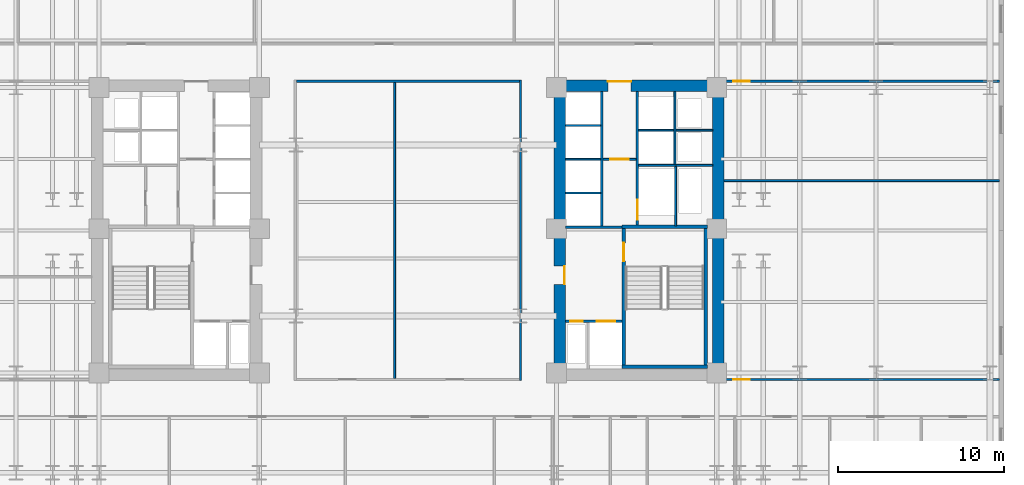
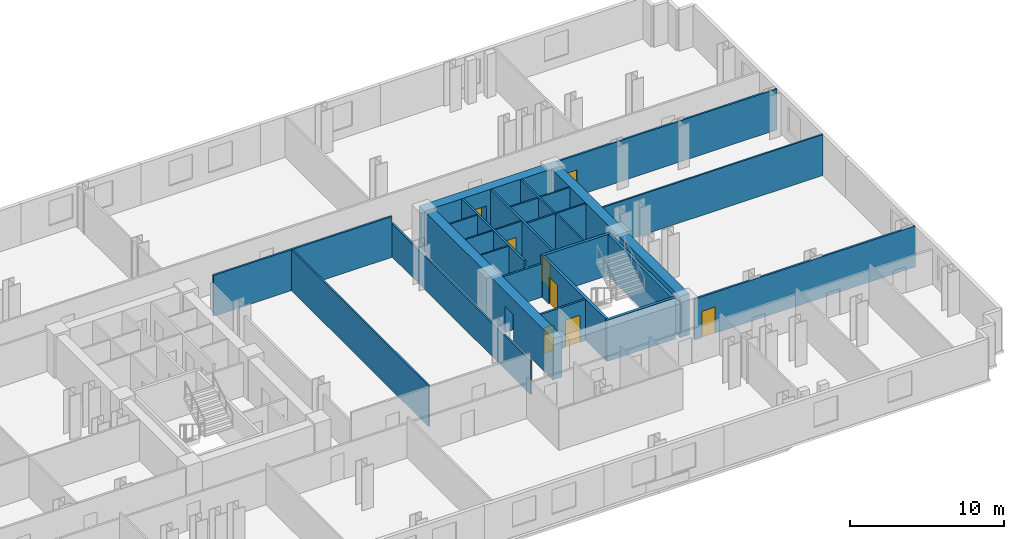
# One storey, part 6 of 10: 26 walls, 9 doors, 9 openings.
"""IFC4 building model written with IfcOpenShell, lengths in metres."""

from ifc_helpers import new_model, si_unit, direction, frame, frame_2d, origin, place, context, subcontext, project, spatial, rectangle, extrude, material, layer, layer_set, type_object, element, fill, save


model = new_model("IFC4")

# Units and contexts
model_context = context("Model", 3, precision=1e-05, world=origin(), true_north=direction((0.0, 1.0)))
body_context = subcontext(model_context, "Body", "Model", "MODEL_VIEW")
ifc_project = project(units=[si_unit("LENGTHUNIT", "METRE"), si_unit("AREAUNIT", "SQUARE_METRE"), si_unit("VOLUMEUNIT", "CUBIC_METRE"), si_unit("PLANEANGLEUNIT", "RADIAN"), si_unit("MASSUNIT", "GRAM", prefix="KILO")], contexts=[model_context])

# Site, building, storey
site_placement = place(None, origin())
site = spatial("IfcSite", under=ifc_project, at=site_placement, CompositionType="ELEMENT")
building_placement = place(site_placement, origin())
building = spatial("IfcBuilding", under=site, at=building_placement, Name="Velakula Bourse", CompositionType="ELEMENT")
storey_placement = place(building_placement, frame((0.0, 0.0, 45.0)))
storey = spatial("IfcBuildingStorey", under=building, at=storey_placement, Name="L11", CompositionType="ELEMENT", Elevation=45.0)

# Wall, opening, door
ifc_material_1 = material(Name="Concrete M50 (fck 50 MPa)", Category="concrete")
ifc_layer_1 = layer(ifc_material_1, 0.2099609375, Name="Concrete M50 (fck 50 MPa)", Category="concrete")
ifc_layer_set_1 = layer_set([ifc_layer_1], Name="Concrete M50 (fck 50 MPa)")
wall_type_1 = type_object("IfcWallType", Name="WL-CORE-210", PredefinedType="SHEAR", material=ifc_layer_set_1)
wall_1_placement = place(storey_placement, frame((12.9951171875, -8.10009765625, 0.0), z_axis=(0.0, 0.0, 1.0), x_axis=(0.0, 1.0, 0.0)))
wall_1 = element("IfcWall", 1, at=wall_1_placement, inside=storey, type_object=wall_type_1, Name="L11 Core E Stairwell Shear Wall IN", PredefinedType="SHEAR", context=body_context, shape_type="SweptSolid", body=[
    extrude(rectangle(XDim=8.2001953125, YDim=0.2099609375, at=frame_2d((4.10009765625, 0.0))), origin(), (0.0, 0.0, 1.0), 3.27001953125),
])
opening_1_placement = place(wall_1_placement, frame((6.25, 0.0, 0.0)))
opening_1 = element("IfcOpeningElement", 2, at=opening_1_placement, cuts=wall_1, Name="Opening D-STE1", PredefinedType="OPENING", context=body_context, shape_type="SweptSolid", body=[
    extrude(rectangle(XDim=1.10009765625, YDim=2.14990234375, at=frame_2d((0.550048828125, 1.074951171875))), frame((0.0, 0.114990234375, 0.0), z_axis=(0.0, -1.0, 0.0), x_axis=(1.0, 0.0, 0.0)), (0.0, 0.0, 1.0), 0.22998046875),
])
ifc_material_2 = material(Name="Galvanised painted hollow steel fire door", Category="steel")
door_type_1 = type_object("IfcDoorType", Name="DR-FD120-1100x2150", OperationType="NOTDEFINED", PredefinedType="DOOR", material=ifc_material_2)
door_1_placement = place(opening_1_placement, origin())
door_1 = element("IfcDoor", 3, at=door_1_placement, inside=storey, type_object=door_type_1, Name="L11 Stair ST-E1 Fire Door", OperationType="SINGLE_SWING_RIGHT", OverallHeight=2.14990234375, OverallWidth=1.10009765625, PredefinedType="DOOR", context=body_context, shape_type="SweptSolid", body=[
    extrude(rectangle(XDim=1.10009765625, YDim=2.14990234375, at=frame_2d((0.550048828125, 1.074951171875))), frame((0.0, 0.02490234375, 0.0), z_axis=(0.0, -1.0, 0.0), x_axis=(1.0, 0.0, 0.0)), (0.0, 0.0, 1.0), 0.050048828125),
])
fill(opening_1, door_1)

# Walls
wall_2_placement = place(storey_placement, frame((17.925048828125, -8.10009765625, 0.0), z_axis=(0.0, 0.0, 1.0), x_axis=(0.0, 1.0, 0.0)))
element("IfcWall", 4, at=wall_2_placement, inside=storey, type_object=wall_type_1, Name="L11 Core E Stairwell Shear Wall OUT", PredefinedType="SHEAR", context=body_context, shape_type="SweptSolid", body=[
    extrude(rectangle(XDim=8.2001953125, YDim=0.2099609375, at=frame_2d((4.10009765625, 0.0))), origin(), (0.0, 0.0, 1.0), 3.27001953125),
])
for number, where, z_axis, x_axis, name in (
    (5, (12.889892578125, -8.205078125, 0.0), (0.0, 0.0, 1.0), (1.0, 0.0, 0.0), "L11 Core E Stairwell Shear Wall S"),
    (6, (18.030029296875, 0.205078125, 0.0), (0.0, 0.0, 1.0), (-1.0, 0.0, 0.0), "L11 Core E Stairwell Shear Wall N"),
):
    element("IfcWall", number, at=place(storey_placement, frame(where, z_axis=z_axis, x_axis=x_axis)), inside=storey, type_object=wall_type_1, Name=name, PredefinedType="SHEAR", context=body_context, shape_type="SweptSolid", body=[
        extrude(rectangle(XDim=5.14013671875, YDim=0.2099609375, at=frame_2d((2.570068359375, 0.0))), origin(), (0.0, 0.0, 1.0), 3.27001953125),
    ])

# Wall, opening, door
ifc_material_3 = material(Name="Concrete M70 (fck 70 MPa)", Category="concrete")
ifc_layer_2 = layer(ifc_material_3, 0.699951171875, Name="Concrete M70 (fck 70 MPa)", Category="concrete")
ifc_layer_set_2 = layer_set([ifc_layer_2], Name="Concrete M70 (fck 70 MPa)")
wall_type_2 = type_object("IfcWallType", Name="WL-CORE-700", PredefinedType="SHEAR", material=ifc_layer_set_2)
wall_3_placement = place(storey_placement, frame((8.800048828125, 8.699951171875, 0.0), z_axis=(0.0, 0.0, 1.0), x_axis=(1.0, 0.0, 0.0)))
wall_3 = element("IfcWall", 7, at=wall_3_placement, inside=storey, type_object=wall_type_2, Name="L11 Core E Shear Wall N", PredefinedType="SHEAR", context=body_context, shape_type="SweptSolid", body=[
    extrude(rectangle(XDim=10.25, YDim=0.699951171875, at=frame_2d((5.125, 0.0))), origin(), (0.0, 0.0, 1.0), 3.27001953125),
])
opening_2_placement = place(wall_3_placement, frame((3.25, 0.0, 0.0)))
opening_2 = element("IfcOpeningElement", 8, at=opening_2_placement, cuts=wall_3, Name="Opening D-LLE", PredefinedType="OPENING", context=body_context, shape_type="SweptSolid", body=[
    extrude(rectangle(XDim=1.39990234375, YDim=2.050048828125, at=frame_2d((0.699951171875, 1.02490234375))), frame((0.0, 0.35986328125, 0.0), z_axis=(0.0, -1.0, 0.0), x_axis=(1.0, 0.0, 0.0)), (0.0, 0.0, 1.0), 0.719970703125),
])
ifc_material_4 = material(Name="Fire-rated hardwood flush architectural door", Category="wood")
door_type_2 = type_object("IfcDoorType", Name="DR-DBL-FD60-1400", OperationType="DOUBLE_DOOR_SINGLE_SWING", PredefinedType="DOOR", material=ifc_material_4)
door_2_placement = place(opening_2_placement, origin())
door_2 = element("IfcDoor", 9, at=door_2_placement, inside=storey, type_object=door_type_2, Name="L11 Core E Lift Lobby Corridor Double Door", OperationType="DOUBLE_DOOR_SINGLE_SWING", OverallHeight=2.050048828125, OverallWidth=1.39990234375, PredefinedType="DOOR", context=body_context, shape_type="SweptSolid", body=[
    extrude(rectangle(XDim=1.39990234375, YDim=2.050048828125, at=frame_2d((0.699951171875, 1.02490234375))), frame((0.0, 0.294921875, 0.0), z_axis=(0.0, -1.0, 0.0), x_axis=(1.0, 0.0, 0.0)), (0.0, 0.0, 1.0), 0.050048828125),
])
fill(opening_2, door_2)

wall_4_placement = place(storey_placement, frame((9.14990234375, -8.35009765625, 0.0), z_axis=(0.0, 0.0, 1.0), x_axis=(0.0, 1.0, 0.0)))
wall_4 = element("IfcWall", 10, at=wall_4_placement, inside=storey, type_object=wall_type_2, Name="L11 Core E Shear Wall W", PredefinedType="SHEAR", context=body_context, shape_type="SweptSolid", body=[
    extrude(rectangle(XDim=16.7001953125, YDim=0.699951171875, at=frame_2d((8.35009765625, 0.0))), origin(), (0.0, 0.0, 1.0), 3.27001953125),
])
opening_3_placement = place(wall_4_placement, frame((5.10009765625, 0.0, 0.0)))
opening_3 = element("IfcOpeningElement", 11, at=opening_3_placement, cuts=wall_4, Name="Opening D-FLE", PredefinedType="OPENING", context=body_context, shape_type="SweptSolid", body=[
    extrude(rectangle(XDim=1.10009765625, YDim=2.080078125, at=frame_2d((0.550048828125, 1.0400390625))), frame((0.0, 0.35986328125, 0.0), z_axis=(0.0, -1.0, 0.0), x_axis=(1.0, 0.0, 0.0)), (0.0, 0.0, 1.0), 0.719970703125),
])
door_type_3 = type_object("IfcDoorType", Name="DR-FD120-1100", OperationType="NOTDEFINED", PredefinedType="DOOR", material=ifc_material_2)
door_3_placement = place(opening_3_placement, origin())
door_3 = element("IfcDoor", 12, at=door_3_placement, inside=storey, type_object=door_type_3, Name="L11 Firefighting Lobby E Corridor Fire Door", OperationType="SINGLE_SWING_RIGHT", OverallHeight=2.080078125, OverallWidth=1.10009765625, PredefinedType="DOOR", context=body_context, shape_type="SweptSolid", body=[
    extrude(rectangle(XDim=1.10009765625, YDim=2.080078125, at=frame_2d((0.550048828125, 1.0400390625))), frame((0.0, -0.2548828125, 0.0), z_axis=(0.0, -1.0, 0.0), x_axis=(1.0, 0.0, 0.0)), (0.0, 0.0, 1.0), 0.050048828125),
])
fill(opening_3, door_3)

# Wall
wall_5_placement = place(storey_placement, frame((18.699951171875, -8.35009765625, 0.0), z_axis=(0.0, 0.0, 1.0), x_axis=(0.0, 1.0, 0.0)))
element("IfcWall", 13, at=wall_5_placement, inside=storey, type_object=wall_type_2, Name="L11 Core E Shear Wall E", PredefinedType="SHEAR", context=body_context, shape_type="SweptSolid", body=[
    extrude(rectangle(XDim=16.7001953125, YDim=0.699951171875, at=frame_2d((8.35009765625, 0.0))), origin(), (0.0, 0.0, 1.0), 3.27001953125),
])

# Wall, opening, door
ifc_material_5 = material(Name="Fire-rated double-layer gypsum drywall partition", Category="gypsum")
ifc_layer_3 = layer(ifc_material_5, 0.1201171875, Name="Fire-rated double-layer gypsum drywall partition", Category="gypsum")
ifc_layer_set_3 = layer_set([ifc_layer_3], Name="Fire-rated double-layer gypsum drywall partition")
wall_type_3 = type_object("IfcWallType", Name="WL-PART-120", PredefinedType="STANDARD", material=ifc_layer_set_3)
wall_6_placement = place(storey_placement, frame((11.75, 4.280029296875, 0.0), z_axis=(0.0, 0.0, 1.0), x_axis=(1.0, 0.0, 0.0)))
wall_6 = element("IfcWall", 14, at=wall_6_placement, inside=storey, type_object=wall_type_3, Name="L11 Interior Partition WL-CRE-L11-LL-K2", PredefinedType="STANDARD", context=body_context, shape_type="SweptSolid", body=[
    extrude(rectangle(XDim=2.0, YDim=0.1201171875, at=frame_2d((1.0, 0.0))), origin(), (0.0, 0.0, 1.0), 3.25),
])
opening_4_placement = place(wall_6_placement, frame((0.449951171875, 0.0, 0.0)))
opening_4 = element("IfcOpeningElement", 15, at=opening_4_placement, cuts=wall_6, Name="Opening D-LK2", PredefinedType="OPENING", context=body_context, shape_type="SweptSolid", body=[
    extrude(rectangle(XDim=1.10009765625, YDim=2.10009765625, at=frame_2d((0.550048828125, 1.050048828125))), frame((0.0, 0.070068359375, 0.0), z_axis=(0.0, -1.0, 0.0), x_axis=(1.0, 0.0, 0.0)), (0.0, 0.0, 1.0), 0.14013671875),
])
door_type_4 = type_object("IfcDoorType", Name="DR-FD60-1100x2100", OperationType="NOTDEFINED", PredefinedType="DOOR", material=ifc_material_4)
door_4_placement = place(opening_4_placement, origin())
door_4 = element("IfcDoor", 16, at=door_4_placement, inside=storey, type_object=door_type_4, Name="L11 Core E Lift Lobby Zone Door", OperationType="SINGLE_SWING_LEFT", OverallHeight=2.10009765625, OverallWidth=1.10009765625, PredefinedType="DOOR", context=body_context, shape_type="SweptSolid", body=[
    extrude(rectangle(XDim=1.10009765625, YDim=2.10009765625, at=frame_2d((0.550048828125, 1.050048828125))), frame((0.0, 0.02490234375, 0.0), z_axis=(0.0, -1.0, 0.0), x_axis=(1.0, 0.0, 0.0)), (0.0, 0.0, 1.0), 0.050048828125),
])
fill(opening_4, door_4)

# Walls
for number, where, z_axis, x_axis, name in (
    (17, (9.5, 2.2548828125, 0.0), (0.0, 0.0, 1.0), (1.0, 0.0, 0.0), "L11 Interior Partition WL-CRE-L11-BDIV-0"),
    (18, (9.5, 4.284912109375, 0.0), (0.0, 0.0, 1.0), (1.0, 0.0, 0.0), "L11 Interior Partition WL-CRE-L11-BDIV-1"),
    (19, (9.5, 6.31494140625, 0.0), (0.0, 0.0, 1.0), (1.0, 0.0, 0.0), "L11 Interior Partition WL-CRE-L11-BDIV-2"),
):
    element("IfcWall", number, at=place(storey_placement, frame(where, z_axis=z_axis, x_axis=x_axis)), inside=storey, type_object=wall_type_3, Name=name, PredefinedType="STANDARD", context=body_context, shape_type="SweptSolid", body=[
        extrude(rectangle(XDim=2.10009765625, YDim=0.110107421875, at=frame_2d((1.050048828125, 0.0))), origin(), (0.0, 0.0, 1.0), 3.25),
    ])
wall_7_placement = place(storey_placement, frame((13.89990234375, 3.919921875, 0.0), z_axis=(0.0, 0.0, 1.0), x_axis=(1.0, 0.0, 0.0)))
element("IfcWall", 20, at=wall_7_placement, inside=storey, type_object=wall_type_3, Name="L11 Interior Partition WL-CRE-L11-HI-S", PredefinedType="STANDARD", context=body_context, shape_type="SweptSolid", body=[
    extrude(rectangle(XDim=4.4501953125, YDim=0.1201171875, at=frame_2d((2.22509765625, 0.0))), origin(), (0.0, 0.0, 1.0), 3.25),
])
wall_8_placement = place(storey_placement, frame((16.14990234375, 6.030029296875, 0.0), z_axis=(0.0, 0.0, 1.0), x_axis=(1.0, 0.0, 0.0)))
element("IfcWall", 21, at=wall_8_placement, inside=storey, type_object=wall_type_3, Name="L11 Interior Partition WL-CRE-L11-RIS-MID", PredefinedType="STANDARD", context=body_context, shape_type="SweptSolid", body=[
    extrude(rectangle(XDim=2.2001953125, YDim=0.1201171875, at=frame_2d((1.10009765625, 0.0))), origin(), (0.0, 0.0, 1.0), 3.25),
])
wall_9_placement = place(storey_placement, frame((16.074951171875, 3.97998046875, 0.0), z_axis=(0.0, 0.0, 1.0), x_axis=(0.0, 1.0, 0.0)))
element("IfcWall", 22, at=wall_9_placement, inside=storey, type_object=wall_type_3, Name="L11 Interior Partition WL-CRE-L11-RIS-F", PredefinedType="STANDARD", context=body_context, shape_type="SweptSolid", body=[
    extrude(rectangle(XDim=4.3701171875, YDim=0.1201171875, at=frame_2d((2.18505859375, 0.0))), origin(), (0.0, 0.0, 1.0), 3.25),
])
wall_10_placement = place(storey_placement, frame((13.89990234375, 6.030029296875, 0.0), z_axis=(0.0, 0.0, 1.0), x_axis=(1.0, 0.0, 0.0)))
element("IfcWall", 23, at=wall_10_placement, inside=storey, type_object=wall_type_3, Name="L11 Interior Partition WL-CRE-L11-HI-DIV", PredefinedType="STANDARD", context=body_context, shape_type="SweptSolid", body=[
    extrude(rectangle(XDim=2.10009765625, YDim=0.1201171875, at=frame_2d((1.050048828125, 0.0))), origin(), (0.0, 0.0, 1.0), 3.25),
])
wall_11_placement = place(storey_placement, frame((16.125, 0.27001953125, 0.0), z_axis=(0.0, 0.0, 1.0), x_axis=(0.0, 1.0, 0.0)))
element("IfcWall", 24, at=wall_11_placement, inside=storey, type_object=wall_type_3, Name="L11 Interior Partition WL-CRE-L11-SVL-E", PredefinedType="STANDARD", context=body_context, shape_type="SweptSolid", body=[
    extrude(rectangle(XDim=3.590087890625, YDim=0.1201171875, at=frame_2d((1.794921875, 0.0))), origin(), (0.0, 0.0, 1.0), 3.25),
])
wall_12_placement = place(storey_placement, frame((19.050048828125, 3.0, 0.0), z_axis=(0.0, 0.0, 1.0), x_axis=(1.0, 0.0, 0.0)))
element("IfcWall", 25, at=wall_12_placement, inside=storey, type_object=wall_type_3, Name="L11 Interior Partition WL-INT-L11-E-H", PredefinedType="STANDARD", context=body_context, shape_type="SweptSolid", body=[
    extrude(rectangle(XDim=16.570068359375, YDim=0.1201171875, at=frame_2d((8.28515625, 0.0))), origin(), (0.0, 0.0, 1.0), 3.25),
])

# Wall, opening, door
ifc_layer_4 = layer(ifc_material_5, 0.139892578125, Name="Fire-rated double-layer gypsum drywall partition", Category="gypsum")
ifc_layer_set_4 = layer_set([ifc_layer_4], Name="Fire-rated double-layer gypsum drywall partition")
wall_type_4 = type_object("IfcWallType", Name="WL-PART-140", PredefinedType="STANDARD", material=ifc_layer_set_4)
wall_13_placement = place(storey_placement, frame((19.050048828125, 8.97998046875, 0.0), z_axis=(0.0, 0.0, 1.0), x_axis=(1.0, 0.0, 0.0)))
wall_13 = element("IfcWall", 26, at=wall_13_placement, inside=storey, type_object=wall_type_4, Name="L11 Interior Partition WL-INT-L11-E-NC", PredefinedType="STANDARD", context=body_context, shape_type="SweptSolid", body=[
    extrude(rectangle(XDim=16.570068359375, YDim=0.139892578125, at=frame_2d((8.28515625, 0.0))), origin(), (0.0, 0.0, 1.0), 3.25),
])
opening_5_placement = place(wall_13_placement, frame((0.53955078125, 0.0, 0.0)))
opening_5 = element("IfcOpeningElement", 27, at=opening_5_placement, cuts=wall_13, Name="Opening D-OF1", PredefinedType="OPENING", context=body_context, shape_type="SweptSolid", body=[
    extrude(rectangle(XDim=1.0, YDim=2.080078125, at=frame_2d((0.5, 1.0400390625))), frame((0.0, 0.079833984375, 0.0), z_axis=(0.0, -1.0, 0.0), x_axis=(1.0, 0.0, 0.0)), (0.0, 0.0, 1.0), 0.159912109375),
])
door_type_5 = type_object("IfcDoorType", Name="DR-OFF-1000", OperationType="NOTDEFINED", PredefinedType="DOOR", material=ifc_material_4)
door_5_placement = place(opening_5_placement, origin())
door_5 = element("IfcDoor", 28, at=door_5_placement, inside=storey, type_object=door_type_5, Name="L11 Issuer Relations Office Door", OperationType="SINGLE_SWING_LEFT", OverallHeight=2.080078125, OverallWidth=1.0, PredefinedType="DOOR", context=body_context, shape_type="SweptSolid", body=[
    extrude(rectangle(XDim=1.0, YDim=2.080078125, at=frame_2d((0.5, 1.0400390625))), frame((0.0, 0.02490234375, 0.0), z_axis=(0.0, -1.0, 0.0), x_axis=(1.0, 0.0, 0.0)), (0.0, 0.0, 1.0), 0.050048828125),
])
fill(opening_5, door_5)

wall_14_placement = place(storey_placement, frame((19.050048828125, -8.97998046875, 0.0), z_axis=(0.0, 0.0, 1.0), x_axis=(1.0, 0.0, 0.0)))
wall_14 = element("IfcWall", 29, at=wall_14_placement, inside=storey, type_object=wall_type_4, Name="L11 Interior Partition WL-INT-L11-E-SC", PredefinedType="STANDARD", context=body_context, shape_type="SweptSolid", body=[
    extrude(rectangle(XDim=16.570068359375, YDim=0.139892578125, at=frame_2d((8.28515625, 0.0))), origin(), (0.0, 0.0, 1.0), 3.25),
])
opening_6_placement = place(wall_14_placement, frame((0.53955078125, 0.0, 0.0)))
opening_6 = element("IfcOpeningElement", 30, at=opening_6_placement, cuts=wall_14, Name="Opening D-OF1", PredefinedType="OPENING", context=body_context, shape_type="SweptSolid", body=[
    extrude(rectangle(XDim=1.0, YDim=2.080078125, at=frame_2d((0.5, 1.0400390625))), frame((0.0, 0.079833984375, 0.0), z_axis=(0.0, -1.0, 0.0), x_axis=(1.0, 0.0, 0.0)), (0.0, 0.0, 1.0), 0.159912109375),
])
door_6_placement = place(opening_6_placement, origin())
door_6 = element("IfcDoor", 31, at=door_6_placement, inside=storey, type_object=door_type_5, Name="L11 ESG Rating Analytics Workspace Door", OperationType="SINGLE_SWING_RIGHT", OverallHeight=2.080078125, OverallWidth=1.0, PredefinedType="DOOR", context=body_context, shape_type="SweptSolid", body=[
    extrude(rectangle(XDim=1.0, YDim=2.080078125, at=frame_2d((0.5, 1.0400390625))), frame((0.0, 0.02490234375, 0.0), z_axis=(0.0, -1.0, 0.0), x_axis=(1.0, 0.0, 0.0)), (0.0, 0.0, 1.0), 0.050048828125),
])
fill(opening_6, door_6)

# Walls
wall_15_placement = place(storey_placement, frame((6.780029296875, -9.050048828125, 0.0), z_axis=(0.0, 0.0, 1.0), x_axis=(0.0, 1.0, 0.0)))
element("IfcWall", 32, at=wall_15_placement, inside=storey, type_object=wall_type_4, Name="L11 Interior Partition WL-INT-L11-MID-E", PredefinedType="STANDARD", context=body_context, shape_type="SweptSolid", body=[
    extrude(rectangle(XDim=18.10009765625, YDim=0.139892578125, at=frame_2d((9.050048828125, 0.0))), origin(), (0.0, 0.0, 1.0), 2.64501953125),
])
wall_16_placement = place(storey_placement, frame((-6.7099609375, 8.97998046875, 0.0), z_axis=(0.0, 0.0, 1.0), x_axis=(1.0, 0.0, 0.0)))
element("IfcWall", 33, at=wall_16_placement, inside=storey, type_object=wall_type_4, Name="L11 Interior Partition WL-INT-L11-MID-N", PredefinedType="STANDARD", context=body_context, shape_type="SweptSolid", body=[
    extrude(rectangle(XDim=13.419921875, YDim=0.139892578125, at=frame_2d((6.7099609375, 0.0))), origin(), (0.0, 0.0, 1.0), 3.25),
])
wall_17_placement = place(storey_placement, frame((-0.800048828125, -8.909912109375, 0.0), z_axis=(0.0, 0.0, 1.0), x_axis=(0.0, 1.0, 0.0)))
element("IfcWall", 34, at=wall_17_placement, inside=storey, type_object=wall_type_4, Name="L11 Interior Partition WL-INT-L11-MDX", PredefinedType="STANDARD", context=body_context, shape_type="SweptSolid", body=[
    extrude(rectangle(XDim=17.81982421875, YDim=0.1201171875, at=frame_2d((8.909912109375, 0.0))), origin(), (0.0, 0.0, 1.0), 3.25),
])

# Wall, openings, doors
ifc_material_6 = material(Name="Autoclaved aerated concrete blockwork masonry", Category="masonry")
ifc_layer_5 = layer(ifc_material_6, 0.14990234375, Name="Autoclaved aerated concrete blockwork masonry", Category="masonry")
ifc_layer_set_5 = layer_set([ifc_layer_5], Name="Autoclaved aerated concrete blockwork masonry")
wall_type_5 = type_object("IfcWallType", Name="WL-SHAFT-150", PredefinedType="STANDARD", material=ifc_layer_set_5)
wall_18_placement = place(storey_placement, frame((9.5, -5.47509765625, 0.0), z_axis=(0.0, 0.0, 1.0), x_axis=(1.0, 0.0, 0.0)))
wall_18 = element("IfcWall", 35, at=wall_18_placement, inside=storey, type_object=wall_type_5, Name="L11 Interior Partition WL-CRE-L11-FFL-N", PredefinedType="STANDARD", context=body_context, shape_type="SweptSolid", body=[
    extrude(rectangle(XDim=3.39501953125, YDim=0.14990234375, at=frame_2d((1.697509765625, 0.0))), origin(), (0.0, 0.0, 1.0), 3.25),
])
opening_7_placement = place(wall_18_placement, frame((1.875, 0.0, 0.0)))
opening_7 = element("IfcOpeningElement", 36, at=opening_7_placement, cuts=wall_18, Name="Opening LD-FFL-2", PredefinedType="OPENING", context=body_context, shape_type="SweptSolid", body=[
    extrude(rectangle(XDim=1.10009765625, YDim=2.14990234375, at=frame_2d((0.550048828125, 1.074951171875))), frame((0.0, 0.0849609375, 0.0), z_axis=(0.0, -1.0, 0.0), x_axis=(1.0, 0.0, 0.0)), (0.0, 0.0, 1.0), 0.169921875),
])
opening_8_placement = place(wall_18_placement, frame((0.27490234375, 0.0, 0.0)))
opening_8 = element("IfcOpeningElement", 37, at=opening_8_placement, cuts=wall_18, Name="Opening D-RS1", PredefinedType="OPENING", context=body_context, shape_type="SweptSolid", body=[
    extrude(rectangle(XDim=0.75, YDim=2.050048828125, at=frame_2d((0.375, 1.02490234375))), frame((0.0, 0.0849609375, 0.0), z_axis=(0.0, -1.0, 0.0), x_axis=(1.0, 0.0, 0.0)), (0.0, 0.0, 1.0), 0.169921875),
])
door_type_6 = type_object("IfcDoorType", Name="DR-RISER-800", OperationType="NOTDEFINED", PredefinedType="DOOR", material=ifc_material_2)
door_7_placement = place(opening_8_placement, origin())
door_7 = element("IfcDoor", 38, at=door_7_placement, inside=storey, type_object=door_type_6, Name="L11 Fire Riser Access Door", OperationType="SINGLE_SWING_LEFT", OverallHeight=2.050048828125, OverallWidth=0.75, PredefinedType="DOOR", context=body_context, shape_type="SweptSolid", body=[
    extrude(rectangle(XDim=0.75, YDim=2.050048828125, at=frame_2d((0.375, 1.02490234375))), frame((0.0, 0.02490234375, 0.0), z_axis=(0.0, -1.0, 0.0), x_axis=(1.0, 0.0, 0.0)), (0.0, 0.0, 1.0), 0.050048828125),
])
fill(opening_8, door_7)
ifc_material_7 = material(Name="Brushed grade 316 stainless steel", Category="steel")
door_type_7 = type_object("IfcDoorType", Name="DR-SLIDE-FFL-1100", OperationType="DOUBLE_DOOR_SLIDING", PredefinedType="DOOR", material=ifc_material_7)
door_8_placement = place(opening_7_placement, origin())
door_8 = element("IfcDoor", 39, at=door_8_placement, inside=storey, type_object=door_type_7, Name="L11 Firefighting Lift FFL-2 Sliding Landing Door", OperationType="DOUBLE_DOOR_SLIDING", OverallHeight=2.14990234375, OverallWidth=1.10009765625, PredefinedType="DOOR", context=body_context, shape_type="SweptSolid", body=[
    extrude(rectangle(XDim=1.10009765625, YDim=2.14990234375, at=frame_2d((0.550048828125, 1.074951171875))), frame((0.0, 0.02490234375, 0.0), z_axis=(0.0, -1.0, 0.0), x_axis=(1.0, 0.0, 0.0)), (0.0, 0.0, 1.0), 0.050048828125),
])
fill(opening_7, door_8)

# Walls
wall_19_placement = place(storey_placement, frame((9.5, 0.18994140625, 0.0), z_axis=(0.0, 0.0, 1.0), x_axis=(1.0, 0.0, 0.0)))
element("IfcWall", 40, at=wall_19_placement, inside=storey, type_object=wall_type_5, Name="L11 Interior Partition WL-CRE-L11-FF-TOP", PredefinedType="STANDARD", context=body_context, shape_type="SweptSolid", body=[
    extrude(rectangle(XDim=3.389892578125, YDim=0.14990234375, at=frame_2d((1.69482421875, 0.0))), origin(), (0.0, 0.0, 1.0), 2.64501953125),
])
wall_20_placement = place(storey_placement, frame((11.675048828125, 0.27001953125, 0.0), z_axis=(0.0, 0.0, 1.0), x_axis=(0.0, 1.0, 0.0)))
element("IfcWall", 41, at=wall_20_placement, inside=storey, type_object=wall_type_5, Name="L11 Interior Partition WL-CRE-L11-BANK-F", PredefinedType="STANDARD", context=body_context, shape_type="SweptSolid", body=[
    extrude(rectangle(XDim=8.080078125, YDim=0.14990234375, at=frame_2d((4.0400390625, 0.0))), origin(), (0.0, 0.0, 1.0), 3.25),
])

# Wall, opening, door
wall_21_placement = place(storey_placement, frame((13.824951171875, 0.27001953125, 0.0), z_axis=(0.0, 0.0, 1.0), x_axis=(0.0, 1.0, 0.0)))
wall_21 = element("IfcWall", 42, at=wall_21_placement, inside=storey, type_object=wall_type_5, Name="L11 Interior Partition WL-CRE-L11-OUT-F", PredefinedType="STANDARD", context=body_context, shape_type="SweptSolid", body=[
    extrude(rectangle(XDim=8.080078125, YDim=0.14990234375, at=frame_2d((4.0400390625, 0.0))), origin(), (0.0, 0.0, 1.0), 3.25),
])
opening_9_placement = place(wall_21_placement, frame((0.3798828125, 0.0, 0.0)))
opening_9 = element("IfcOpeningElement", 43, at=opening_9_placement, cuts=wall_21, Name="Opening LD-SVL1", PredefinedType="OPENING", context=body_context, shape_type="SweptSolid", body=[
    extrude(rectangle(XDim=1.199951171875, YDim=2.10009765625, at=frame_2d((0.60009765625, 1.050048828125))), frame((0.0, 0.0849609375, 0.0), z_axis=(0.0, -1.0, 0.0), x_axis=(1.0, 0.0, 0.0)), (0.0, 0.0, 1.0), 0.169921875),
])
door_type_8 = type_object("IfcDoorType", Name="DR-SLIDE-LD-1200", OperationType="DOUBLE_DOOR_SLIDING", PredefinedType="DOOR", material=ifc_material_7)
door_9_placement = place(opening_9_placement, origin())
door_9 = element("IfcDoor", 44, at=door_9_placement, inside=storey, type_object=door_type_8, Name="L11 Service Lift SVL-1 Sliding Landing Door", OperationType="DOUBLE_DOOR_SLIDING", OverallHeight=2.10009765625, OverallWidth=1.199951171875, PredefinedType="DOOR", context=body_context, shape_type="SweptSolid", body=[
    extrude(rectangle(XDim=1.199951171875, YDim=2.10009765625, at=frame_2d((0.60009765625, 1.050048828125))), frame((0.0, 0.02490234375, 0.0), z_axis=(0.0, -1.0, 0.0), x_axis=(1.0, 0.0, 0.0)), (0.0, 0.0, 1.0), 0.050048828125),
])
fill(opening_9, door_9)

save(model, "model.ifc")
